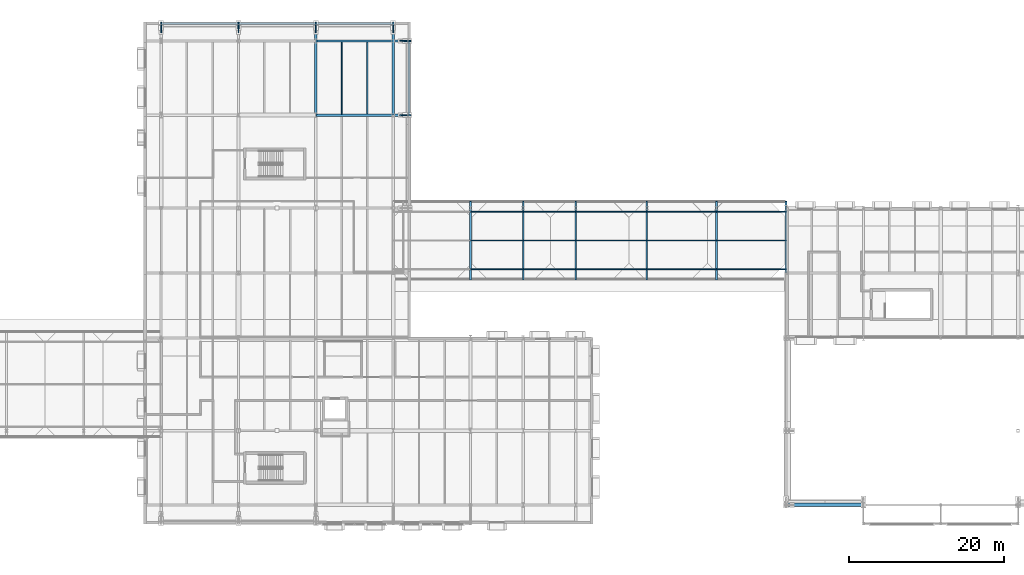
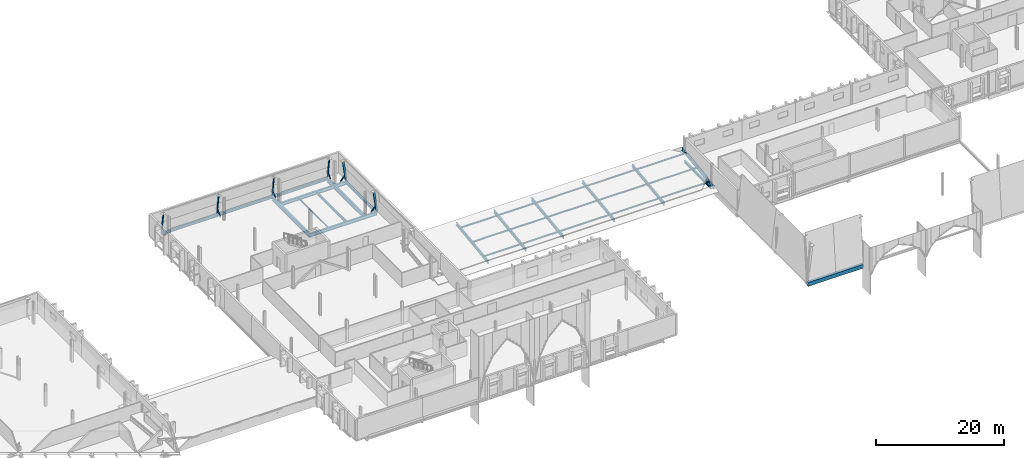
# One storey, part 38 of 90: 27 members, 18 beams.
"""IFC4 building model written with IfcOpenShell, lengths in metres."""

from ifc_helpers import new_model, si_unit, direction, frame, origin, origin_2d, place, context, subcontext, project, spatial, rectangle, hollow_rectangle, i_section, extrude, material, material_profile, profile_set, type_object, element, save


model = new_model("IFC4")

# Units and contexts
model_context = context("Model", 3, precision=1e-05, world=origin(), true_north=direction((0.0, 1.0)))
body_context = subcontext(model_context, "Body", "Model", "MODEL_VIEW")
ifc_project = project(units=[si_unit("LENGTHUNIT", "METRE"), si_unit("AREAUNIT", "SQUARE_METRE"), si_unit("VOLUMEUNIT", "CUBIC_METRE"), si_unit("PLANEANGLEUNIT", "RADIAN"), si_unit("MASSUNIT", "GRAM", prefix="KILO")], contexts=[model_context])

# Site, building, storey
site_placement = place(None, origin())
site = spatial("IfcSite", under=ifc_project, at=site_placement, CompositionType="ELEMENT")
building_placement = place(site_placement, origin())
building = spatial("IfcBuilding", under=site, at=building_placement, Name="Zereglee Splitstone Museum", CompositionType="ELEMENT")
storey_placement = place(building_placement, frame((0.0, 0.0, 4.800048828125)))
storey = spatial("IfcBuildingStorey", under=building, at=storey_placement, Name="L01", CompositionType="ELEMENT", Elevation=4.800048828125)

# Beams
ifc_material_1 = material(Name="Steel S355J2", Category="steel")
ifc_material_profile_1 = material_profile(ifc_material_1, i_section(OverallWidth=0.300048828125, OverallDepth=0.64990234375, WebThickness=0.01611328125, FlangeThickness=0.031005859375, FilletRadius=0.027099609375, at=origin_2d()), Name="HE 650 B")
ifc_profile_set_1 = profile_set([ifc_material_profile_1], Name="Steel S355J2")
beam_type_1 = type_object("IfcBeamType", Name="BG-09", PredefinedType="BEAM", material=ifc_profile_set_1)
for number, where, z_axis, x_axis, name in (
    (1, (195.199951171875, 50.39990234375, -0.625), (1.0, 0.0, 0.0), (0.0, 1.0, 0.0), "Primary Girder L01 F (195.2-207.2)"),
    (2, (195.199951171875, 60.0, -0.625), (1.0, 0.0, 0.0), (0.0, 1.0, 0.0), "Primary Girder L01 G (195.2-207.2)"),
):
    element("IfcBeam", number, at=place(storey_placement, frame(where, z_axis=z_axis, x_axis=x_axis)), inside=storey, type_object=beam_type_1, Name=name, PredefinedType="BEAM", context=body_context, shape_type="SweptSolid", body=[
        extrude(i_section(OverallWidth=0.300048828125, OverallDepth=0.64990234375, WebThickness=0.01611328125, FlangeThickness=0.031005859375, FilletRadius=0.027099609375, at=origin_2d()), origin(), (0.0, 0.0, 1.0), 12.050048828125),
    ])
ifc_material_profile_2 = material_profile(ifc_material_1, i_section(OverallWidth=0.300048828125, OverallDepth=0.800048828125, WebThickness=0.017578125, FlangeThickness=0.032958984375, FilletRadius=0.030029296875, at=origin_2d()), Name="HE 800 B")
ifc_profile_set_2 = profile_set([ifc_material_profile_2], Name="Steel S355J2")
beam_type_2 = type_object("IfcBeamType", Name="BG-07", PredefinedType="BEAM", material=ifc_profile_set_2)
for number, where, z_axis, x_axis, name in (
    (3, (195.199951171875, 50.39990234375, -0.699951171875), (0.0, 1.0, 0.0), (-1.0, 0.0, 0.0), "Primary Girder L01 22 (50.4-62.2)"),
    (4, (205.199951171875, 50.39990234375, -0.699951171875), (0.0, 1.0, 0.0), (-1.0, 0.0, 0.0), "Primary Girder L01 23 (50.4-62.2)"),
):
    element("IfcBeam", number, at=place(storey_placement, frame(where, z_axis=z_axis, x_axis=x_axis)), inside=storey, type_object=beam_type_2, Name=name, PredefinedType="BEAM", context=body_context, shape_type="SweptSolid", body=[
        extrude(i_section(OverallWidth=0.300048828125, OverallDepth=0.800048828125, WebThickness=0.017578125, FlangeThickness=0.032958984375, FilletRadius=0.030029296875, at=origin_2d()), origin(), (0.0, 0.0, 1.0), 11.85009765625),
    ])
ifc_material_profile_3 = material_profile(ifc_material_1, i_section(OverallWidth=0.1201171875, OverallDepth=0.239990234375, WebThickness=0.006103515625, FlangeThickness=0.009765625, FilletRadius=0.014892578125, at=origin_2d()), Name="IPE 240")
ifc_profile_set_3 = profile_set([ifc_material_profile_3], Name="Steel S355J2")
beam_type_3 = type_object("IfcBeamType", Name="BJ-07", PredefinedType="JOIST", material=ifc_profile_set_3)
beam_1_placement = place(storey_placement, frame((198.533203125, 50.550048828125, -0.420166015625), z_axis=(0.0, 1.0, 0.0), x_axis=(-1.0, 0.0, 0.0)))
element("IfcBeam", 5, at=beam_1_placement, inside=storey, type_object=beam_type_3, Name="Secondary Floor Joist L01-0818", PredefinedType="JOIST", context=body_context, shape_type="SweptSolid", body=[
    extrude(i_section(OverallWidth=0.1201171875, OverallDepth=0.239990234375, WebThickness=0.006103515625, FlangeThickness=0.009765625, FilletRadius=0.014892578125, at=origin_2d()), origin(), (0.0, 0.0, 1.0), 9.300048828125),
])
ifc_material_profile_4 = material_profile(ifc_material_1, i_section(OverallWidth=0.199951171875, OverallDepth=0.5, WebThickness=0.01025390625, FlangeThickness=0.01611328125, FilletRadius=0.02099609375, at=origin_2d()), Name="IPE 500")
ifc_profile_set_4 = profile_set([ifc_material_profile_4], Name="Steel S355J2")
beam_type_4 = type_object("IfcBeamType", Name="BJ-01", PredefinedType="JOIST", material=ifc_profile_set_4)
beam_2_placement = place(storey_placement, frame((201.86669921875, 50.550048828125, -0.550048828125), z_axis=(0.0, 1.0, 0.0), x_axis=(-1.0, 0.0, 0.0)))
element("IfcBeam", 6, at=beam_2_placement, inside=storey, type_object=beam_type_4, Name="Secondary Floor Joist L01-0819", PredefinedType="JOIST", context=body_context, shape_type="SweptSolid", body=[
    extrude(i_section(OverallWidth=0.199951171875, OverallDepth=0.5, WebThickness=0.01025390625, FlangeThickness=0.01611328125, FilletRadius=0.02099609375, at=origin_2d()), origin(), (0.0, 0.0, 1.0), 9.300048828125),
])

# Members
ifc_material_profile_5 = material_profile(ifc_material_1, i_section(OverallWidth=0.110107421875, OverallDepth=0.219970703125, WebThickness=0.005859375, FlangeThickness=0.00927734375, FilletRadius=0.011962890625, at=origin_2d()), Name="IPE 220")
ifc_profile_set_5 = profile_set([ifc_material_profile_5], Name="Steel S355J2")
member_type_1 = type_object("IfcMemberType", Name="PR-04", PredefinedType="PURLIN", material=ifc_profile_set_5)
for number, where, z_axis, x_axis, name in (
    (7, (215.199951171875, 30.5, 0.399658203125), (1.0, 0.0, 0.0), (0.0, 1.0, 0.0), "Roof Purlin RF-L3 (215.2-222.0)"),
    (8, (215.199951171875, 34.199951171875, 0.883544921875), (1.0, 0.0, 0.0), (0.0, 1.0, 0.0), "Roof Purlin RF-L3 (215.2-222.0)"),
    (9, (215.199951171875, 37.89990234375, 1.367431640625), (1.0, 0.0, 0.0), (0.0, 1.0, 0.0), "Roof Purlin RF-L3 (215.2-222.0)"),
    (10, (222.0, 30.5, 0.399658203125), (1.0, 0.0, 0.0), (0.0, 1.0, 0.0), "Roof Purlin RF-L3 (222.0-228.8)"),
    (11, (222.0, 34.199951171875, 0.883544921875), (1.0, 0.0, 0.0), (0.0, 1.0, 0.0), "Roof Purlin RF-L3 (222.0-228.8)"),
    (12, (222.0, 37.89990234375, 1.367431640625), (1.0, 0.0, 0.0), (0.0, 1.0, 0.0), "Roof Purlin RF-L3 (222.0-228.8)"),
):
    element("IfcMember", number, at=place(storey_placement, frame(where, z_axis=z_axis, x_axis=x_axis)), inside=storey, type_object=member_type_1, Name=name, PredefinedType="PURLIN", context=body_context, shape_type="SweptSolid", body=[
        extrude(i_section(OverallWidth=0.110107421875, OverallDepth=0.219970703125, WebThickness=0.005859375, FlangeThickness=0.00927734375, FilletRadius=0.011962890625, at=origin_2d()), origin(), (0.0, 0.0, 1.0), 6.800048828125),
    ])
for number, where, z_axis, x_axis, name in (
    (13, (228.800048828125, 30.5, 0.399658203125), (1.0, 0.0, 0.0), (0.0, 1.0, 0.0), "Roof Purlin RF-L3 (228.8-238.0)"),
    (14, (228.800048828125, 34.199951171875, 0.883544921875), (1.0, 0.0, 0.0), (0.0, 1.0, 0.0), "Roof Purlin RF-L3 (228.8-238.0)"),
    (15, (228.800048828125, 37.89990234375, 1.367431640625), (1.0, 0.0, 0.0), (0.0, 1.0, 0.0), "Roof Purlin RF-L3 (228.8-238.0)"),
):
    element("IfcMember", number, at=place(storey_placement, frame(where, z_axis=z_axis, x_axis=x_axis)), inside=storey, type_object=member_type_1, Name=name, PredefinedType="PURLIN", context=body_context, shape_type="SweptSolid", body=[
        extrude(i_section(OverallWidth=0.110107421875, OverallDepth=0.219970703125, WebThickness=0.005859375, FlangeThickness=0.00927734375, FilletRadius=0.011962890625, at=origin_2d()), origin(), (0.0, 0.0, 1.0), 9.199951171875),
    ])
for number, where, z_axis, x_axis, name in (
    (16, (238.0, 30.5, 0.399658203125), (1.0, 0.0, 0.0), (0.0, 1.0, 0.0), "Roof Purlin RF-L3 (238.0-247.0)"),
    (17, (238.0, 34.199951171875, 0.883544921875), (1.0, 0.0, 0.0), (0.0, 1.0, 0.0), "Roof Purlin RF-L3 (238.0-247.0)"),
    (18, (238.0, 37.89990234375, 1.367431640625), (1.0, 0.0, 0.0), (0.0, 1.0, 0.0), "Roof Purlin RF-L3 (238.0-247.0)"),
    (19, (247.0, 30.5, 0.399658203125), (1.0, 0.0, 0.0), (0.0, 1.0, 0.0), "Roof Purlin RF-L3 (247.0-256.0)"),
    (20, (247.0, 34.199951171875, 0.883544921875), (1.0, 0.0, 0.0), (0.0, 1.0, 0.0), "Roof Purlin RF-L3 (247.0-256.0)"),
    (21, (247.0, 37.89990234375, 1.367431640625), (1.0, 0.0, 0.0), (0.0, 1.0, 0.0), "Roof Purlin RF-L3 (247.0-256.0)"),
):
    element("IfcMember", number, at=place(storey_placement, frame(where, z_axis=z_axis, x_axis=x_axis)), inside=storey, type_object=member_type_1, Name=name, PredefinedType="PURLIN", context=body_context, shape_type="SweptSolid", body=[
        extrude(i_section(OverallWidth=0.110107421875, OverallDepth=0.219970703125, WebThickness=0.005859375, FlangeThickness=0.00927734375, FilletRadius=0.011962890625, at=origin_2d()), origin(), (0.0, 0.0, 1.0), 9.0),
    ])

# Beams
ifc_material_profile_6 = material_profile(ifc_material_1, i_section(OverallWidth=0.219970703125, OverallDepth=0.60009765625, WebThickness=0.011962890625, FlangeThickness=0.01904296875, FilletRadius=0.02392578125, at=origin_2d()), Name="IPE 600")
ifc_profile_set_6 = profile_set([ifc_material_profile_6], Name="Steel S355J2")
beam_type_5 = type_object("IfcBeamType", Name="RR-01", PredefinedType="BEAM", material=ifc_profile_set_6)
for number, where, z_axis, x_axis, name in (
    (22, (215.199951171875, 29.14990234375, 0.03564453125), (0.0, 0.991557588735, 0.129667066837), (-1.0, 0.0, 0.0), "Sloped Roof Girder RF-L3 X=215.2 (29.1-39.2)"),
    (23, (222.0, 29.14990234375, 0.03564453125), (0.0, 0.991557588735, 0.129667066837), (-1.0, 0.0, 0.0), "Sloped Roof Girder RF-L3 X=222.0 (29.1-39.2)"),
    (24, (228.800048828125, 29.14990234375, 0.03564453125), (0.0, 0.991557588735, 0.129667066837), (-1.0, 0.0, 0.0), "Sloped Roof Girder RF-L3 X=228.8 (29.1-39.2)"),
    (25, (238.0, 29.14990234375, 0.03564453125), (0.0, 0.991557588735, 0.129667066837), (-1.0, 0.0, 0.0), "Sloped Roof Girder RF-L3 X=238.0 (29.1-39.2)"),
    (26, (247.0, 29.14990234375, 0.03564453125), (0.0, 0.991557588735, 0.129667066837), (-1.0, 0.0, 0.0), "Sloped Roof Girder RF-L3 X=247.0 (29.1-39.2)"),
    (27, (256.0, 29.14990234375, 0.03564453125), (0.0, 0.991557588735, 0.129667066837), (-1.0, 0.0, 0.0), "Sloped Roof Girder RF-L3 X=256.0 (29.1-39.2)"),
):
    element("IfcBeam", number, at=place(storey_placement, frame(where, z_axis=z_axis, x_axis=x_axis)), inside=storey, type_object=beam_type_5, Name=name, PredefinedType="BEAM", context=body_context, shape_type="SweptSolid", body=[
        extrude(i_section(OverallWidth=0.219970703125, OverallDepth=0.60009765625, WebThickness=0.011962890625, FlangeThickness=0.01904296875, FilletRadius=0.02392578125, at=origin_2d()), origin(), (0.0, 0.0, 1.0), 10.18603515625),
    ])
ifc_material_profile_7 = material_profile(ifc_material_1, i_section(OverallWidth=0.300048828125, OverallDepth=0.449951171875, WebThickness=0.013916015625, FlangeThickness=0.02587890625, FilletRadius=0.027099609375, at=origin_2d()), Name="HE 450 B")
ifc_profile_set_7 = profile_set([ifc_material_profile_7], Name="Steel S355J2")
beam_type_6 = type_object("IfcBeamType", Name="SP-02", PredefinedType="SPANDREL", material=ifc_profile_set_7)
beam_3_placement = place(storey_placement, frame((256.0, 30.0, -0.525146484375), z_axis=(0.0, 1.0, 0.0), x_axis=(-1.0, 0.0, 0.0)))
element("IfcBeam", 28, at=beam_3_placement, inside=storey, type_object=beam_type_6, Name="Primary Girder L01 29 (30.0-38.4)", PredefinedType="SPANDREL", context=body_context, shape_type="SweptSolid", body=[
    extrude(i_section(OverallWidth=0.300048828125, OverallDepth=0.449951171875, WebThickness=0.013916015625, FlangeThickness=0.02587890625, FilletRadius=0.027099609375, at=origin_2d()), origin(), (0.0, 0.0, 1.0), 8.39990234375),
])
for number, where, z_axis, x_axis, name in (
    (29, (175.199951171875, 62.25, -0.525146484375), (1.0, 0.0, 0.0), (0.0, 1.0, 0.0), "Hovering Soffit Spandrel L01 (175.2-185.2)"),
    (30, (185.199951171875, 62.25, -0.525146484375), (1.0, 0.0, 0.0), (0.0, 1.0, 0.0), "Hovering Soffit Spandrel L01 (185.2-195.2)"),
    (31, (195.199951171875, 62.25, -0.525146484375), (1.0, 0.0, 0.0), (0.0, 1.0, 0.0), "Hovering Soffit Spandrel L01 (195.2-205.2)"),
):
    element("IfcBeam", number, at=place(storey_placement, frame(where, z_axis=z_axis, x_axis=x_axis)), inside=storey, type_object=beam_type_6, Name=name, PredefinedType="SPANDREL", context=body_context, shape_type="SweptSolid", body=[
        extrude(i_section(OverallWidth=0.300048828125, OverallDepth=0.449951171875, WebThickness=0.013916015625, FlangeThickness=0.02587890625, FilletRadius=0.027099609375, at=origin_2d()), origin(), (0.0, 0.0, 1.0), 10.0),
    ])
beam_4_placement = place(storey_placement, frame((207.25, 50.39990234375, -0.525146484375), z_axis=(0.0, 1.0, 0.0), x_axis=(-1.0, 0.0, 0.0)))
element("IfcBeam", 32, at=beam_4_placement, inside=storey, type_object=beam_type_6, Name="Hovering Soffit Spandrel L01 Y=(50.4-60.0)", PredefinedType="SPANDREL", context=body_context, shape_type="SweptSolid", body=[
    extrude(i_section(OverallWidth=0.300048828125, OverallDepth=0.449951171875, WebThickness=0.013916015625, FlangeThickness=0.02587890625, FilletRadius=0.027099609375, at=origin_2d()), origin(), (0.0, 0.0, 1.0), 9.60009765625),
])
ifc_material_2 = material(Name="Concrete C40/50", Category="concrete")
ifc_material_profile_8 = material_profile(ifc_material_2, rectangle(XDim=0.449951171875, YDim=0.75, at=origin_2d()), Name="RC 450x750")
ifc_profile_set_8 = profile_set([ifc_material_profile_8], Name="Concrete C40/50")
beam_type_7 = type_object("IfcBeamType", Name="SP-01", PredefinedType="SPANDREL", material=ifc_profile_set_8)
beam_5_placement = place(storey_placement, frame((256.0, 0.0, -0.675048828125), z_axis=(1.0, 0.0, 0.0), x_axis=(0.0, 1.0, 0.0)))
element("IfcBeam", 33, at=beam_5_placement, inside=storey, type_object=beam_type_7, Name="Primary Girder L01 A (256.0-266.0)", PredefinedType="SPANDREL", context=body_context, shape_type="SweptSolid", body=[
    extrude(rectangle(XDim=0.449951171875, YDim=0.75, at=origin_2d()), origin(), (0.0, 0.0, 1.0), 10.0),
])

# Members
ifc_material_3 = material(Name="Steel S355J2H", Category="steel")
ifc_material_profile_9 = material_profile(ifc_material_3, hollow_rectangle(XDim=0.14990234375, YDim=0.25, WallThickness=0.010009765625, at=origin_2d()), Name="RHS 250x150x10")
ifc_profile_set_9 = profile_set([ifc_material_profile_9], Name="Steel S355J2H")
member_type_2 = type_object("IfcMemberType", Name="FS-R2", PredefinedType="STRUT", material=ifc_profile_set_9)
for number, where, z_axis, x_axis, name in (
    (34, (175.199951171875, 62.31005859375, -0.550048828125), (0.0, -0.14833197933, 0.988937623871), (1.0, 0.0, 0.0), "Split-Rock Continuous Facet Strut FH-V4N L01-01"),
    (35, (185.199951171875, 62.31005859375, -0.550048828125), (0.0, -0.14833197933, 0.988937623871), (1.0, 0.0, 0.0), "Split-Rock Continuous Facet Strut FH-V4N L01-02"),
    (36, (195.199951171875, 62.31005859375, -0.550048828125), (0.0, -0.14833197933, 0.988937623871), (1.0, 0.0, 0.0), "Split-Rock Continuous Facet Strut FH-V4N L01-03"),
    (37, (205.199951171875, 62.31005859375, -0.550048828125), (0.0, -0.14833197933, 0.988937623871), (1.0, 0.0, 0.0), "Split-Rock Continuous Facet Strut FH-V4N L01-04"),
):
    element("IfcMember", number, at=place(storey_placement, frame(where, z_axis=z_axis, x_axis=x_axis)), inside=storey, type_object=member_type_2, Name=name, PredefinedType="STRUT", context=body_context, shape_type="SweptSolid", body=[
        extrude(hollow_rectangle(XDim=0.14990234375, YDim=0.25, WallThickness=0.010009765625, at=origin_2d()), origin(), (0.0, 0.0, 1.0), 4.226806640625),
    ])
ifc_material_profile_10 = material_profile(ifc_material_3, hollow_rectangle(XDim=0.14990234375, YDim=0.35009765625, WallThickness=0.012451171875, at=origin_2d()), Name="RHS 350x150x12.5")
ifc_profile_set_10 = profile_set([ifc_material_profile_10], Name="Steel S355J2H")
member_type_3 = type_object("IfcMemberType", Name="FS-R0", PredefinedType="STRUT", material=ifc_profile_set_10)
for number, where, z_axis, x_axis, name in (
    (38, (207.306884765625, 50.39990234375, -0.550048828125), (-0.140579332613, 0.0, 0.990069417386), (0.0, -1.0, 0.0), "Split-Rock Continuous Facet Strut FH-V4E L01-02"),
    (39, (207.306884765625, 60.0, -0.550048828125), (-0.140579332613, 0.0, 0.990069417386), (0.0, -1.0, 0.0), "Split-Rock Continuous Facet Strut FH-V4E L01-03"),
):
    element("IfcMember", number, at=place(storey_placement, frame(where, z_axis=z_axis, x_axis=x_axis)), inside=storey, type_object=member_type_3, Name=name, PredefinedType="STRUT", context=body_context, shape_type="SweptSolid", body=[
        extrude(hollow_rectangle(XDim=0.14990234375, YDim=0.35009765625, WallThickness=0.012451171875, at=origin_2d()), origin(), (0.0, 0.0, 1.0), 4.221923828125),
    ])
ifc_material_profile_11 = material_profile(ifc_material_3, hollow_rectangle(XDim=0.10009765625, YDim=0.179931640625, WallThickness=0.008056640625, at=origin_2d()), Name="RHS 180x100x8")
ifc_profile_set_11 = profile_set([ifc_material_profile_11], Name="Steel S355J2H")
member_type_4 = type_object("IfcMemberType", Name="FS-T2", PredefinedType="STRUT", material=ifc_profile_set_11)
for number, where, z_axis, x_axis, name in (
    (40, (175.199951171875, 61.10009765625, -0.260009765625), (0.0, 0.650119408684, 0.759832056742), (-1.0, 0.0, 0.0), "Facet Tie-Back Strut FH-V4N L01-01"),
    (41, (185.199951171875, 61.10009765625, -0.260009765625), (0.0, 0.650119408684, 0.759832056742), (-1.0, 0.0, 0.0), "Facet Tie-Back Strut FH-V4N L01-02"),
    (42, (195.199951171875, 61.10009765625, -0.260009765625), (0.0, 0.650119408684, 0.759832056742), (-1.0, 0.0, 0.0), "Facet Tie-Back Strut FH-V4N L01-03"),
    (43, (205.199951171875, 61.10009765625, -0.260009765625), (0.0, 0.650119408684, 0.759832056742), (-1.0, 0.0, 0.0), "Facet Tie-Back Strut FH-V4N L01-04"),
):
    element("IfcMember", number, at=place(storey_placement, frame(where, z_axis=z_axis, x_axis=x_axis)), inside=storey, type_object=member_type_4, Name=name, PredefinedType="STRUT", context=body_context, shape_type="SweptSolid", body=[
        extrude(hollow_rectangle(XDim=0.10009765625, YDim=0.179931640625, WallThickness=0.008056640625, at=origin_2d()), origin(), (0.0, 0.0, 1.0), 1.526611328125),
    ])
ifc_material_profile_12 = material_profile(ifc_material_3, hollow_rectangle(XDim=0.1201171875, YDim=0.199951171875, WallThickness=0.008056640625, at=origin_2d()), Name="RHS 200x120x8")
ifc_profile_set_12 = profile_set([ifc_material_profile_12], Name="Steel S355J2H")
member_type_5 = type_object("IfcMemberType", Name="FS-T1", PredefinedType="STRUT", material=ifc_profile_set_12)
for number, where, z_axis, x_axis, name in (
    (44, (206.10009765625, 50.39990234375, -0.260009765625), (0.653333559961, 0.0, 0.75707018131), (0.0, 1.0, 0.0), "Facet Tie-Back Strut FH-V4E L01-02"),
    (45, (206.10009765625, 60.0, -0.260009765625), (0.653333559961, 0.0, 0.75707018131), (0.0, 1.0, 0.0), "Facet Tie-Back Strut FH-V4E L01-03"),
):
    element("IfcMember", number, at=place(storey_placement, frame(where, z_axis=z_axis, x_axis=x_axis)), inside=storey, type_object=member_type_5, Name=name, PredefinedType="STRUT", context=body_context, shape_type="SweptSolid", body=[
        extrude(hollow_rectangle(XDim=0.1201171875, YDim=0.199951171875, WallThickness=0.008056640625, at=origin_2d()), origin(), (0.0, 0.0, 1.0), 1.5322265625),
    ])

save(model, "model.ifc")
